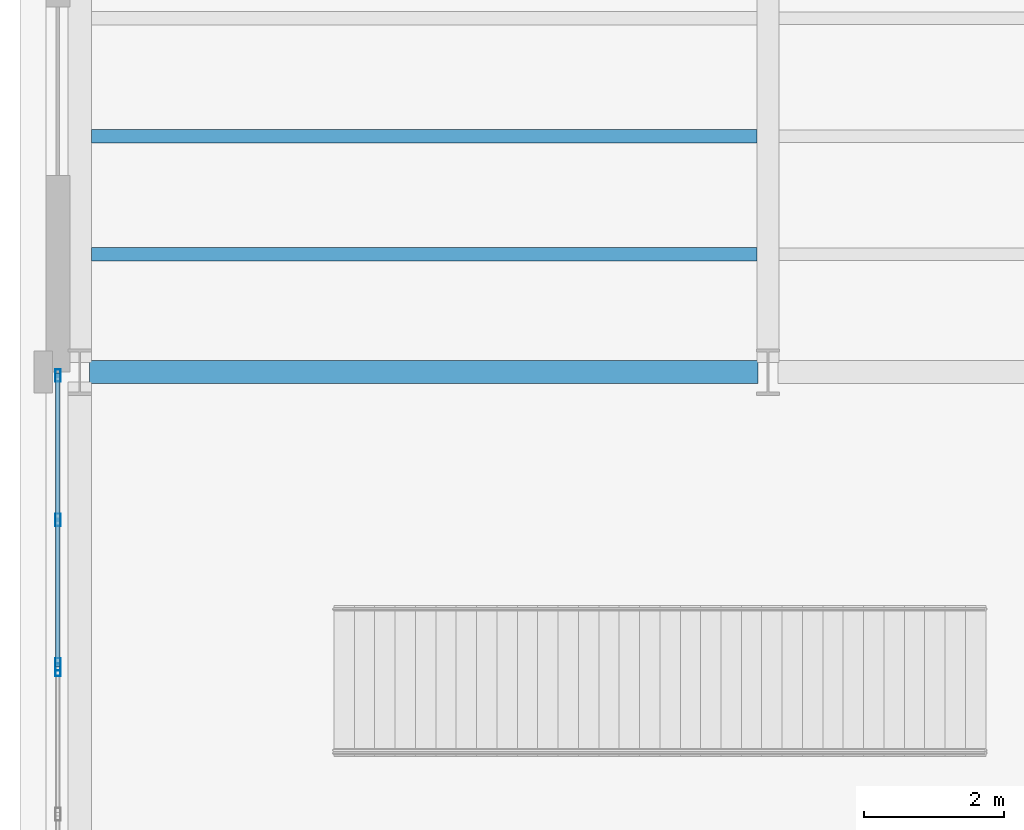
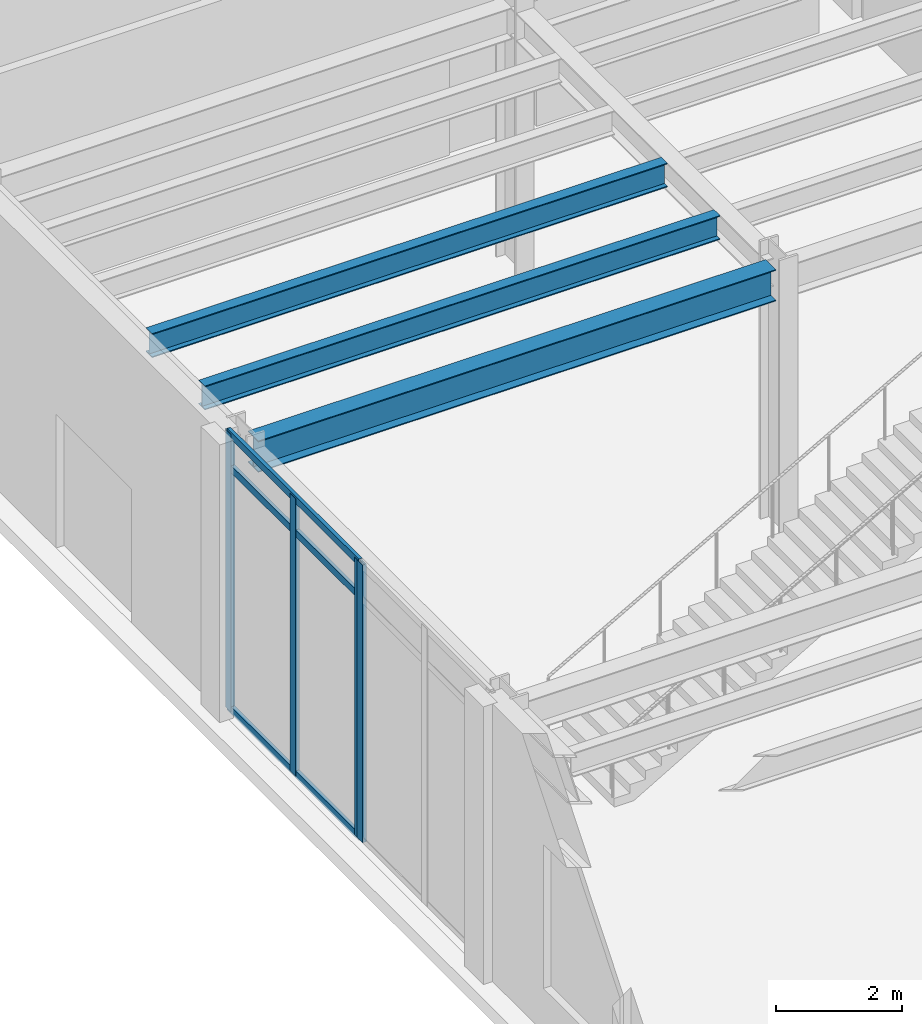
# One storey, part 19 of 94: 7 members, 3 beams, 2 elements without a shape of their own.
"""IFC4 building model written with IfcOpenShell, lengths in metres."""

from ifc_helpers import new_model, si_unit, direction, frame, origin, origin_2d, place, context, subcontext, project, spatial, hollow_rectangle, i_section, extrude, material, layer, layer_set, material_profile, profile_set, type_object, element, aggregate, save


model = new_model("IFC4")

# Units and contexts
model_context = context("Model", 3, precision=1e-05, world=origin(), true_north=direction((0.0, 1.0)))
body_context = subcontext(model_context, "Body", "Model", "MODEL_VIEW")
ifc_project = project(units=[si_unit("LENGTHUNIT", "METRE"), si_unit("AREAUNIT", "SQUARE_METRE"), si_unit("VOLUMEUNIT", "CUBIC_METRE"), si_unit("PLANEANGLEUNIT", "RADIAN"), si_unit("MASSUNIT", "GRAM", prefix="KILO")], contexts=[model_context])

# Site, building, storey
site_placement = place(None, origin())
site = spatial("IfcSite", under=ifc_project, at=site_placement, CompositionType="ELEMENT")
building_placement = place(site_placement, origin())
building = spatial("IfcBuilding", under=site, at=building_placement, Name="Sollismere Congress Hotel", CompositionType="ELEMENT")
storey_placement = place(building_placement, origin())
storey = spatial("IfcBuildingStorey", under=building, at=storey_placement, Name="L00", CompositionType="ELEMENT", Elevation=0.0)

# Beams
ifc_material_1 = material(Name="Steel ASTM A992 Grade 50", Category="steel")
ifc_material_profile_1 = material_profile(ifc_material_1, i_section(OverallWidth=0.324951171875, OverallDepth=0.612060546875, WebThickness=0.0126953125, FlangeThickness=0.01904296875, at=origin_2d()), Name="W24X104")
ifc_profile_set_1 = profile_set([ifc_material_profile_1], Name="Steel ASTM A992 Grade 50")
beam_type_1 = type_object("IfcBeamType", Name="BM-G24", PredefinedType="BEAM", material=ifc_profile_set_1)
beam_placement = place(storey_placement, frame((0.139892578125, 41.60009765625, 4.80908203125), z_axis=(1.0, 0.0, 0.0), x_axis=(0.0, 1.0, 0.0)))
element("IfcBeam", 1, at=beam_placement, inside=storey, type_object=beam_type_1, Name="Beam BM-L00-1173", PredefinedType="BEAM", context=body_context, shape_type="SweptSolid", body=[
    extrude(i_section(OverallWidth=0.324951171875, OverallDepth=0.612060546875, WebThickness=0.0126953125, FlangeThickness=0.01904296875, at=origin_2d()), origin(), (0.0, 0.0, 1.0), 9.52001953125),
])
ifc_material_profile_2 = material_profile(ifc_material_1, i_section(OverallWidth=0.193115234375, OverallDepth=0.467041015625, WebThickness=0.011474609375, FlangeThickness=0.01904296875, at=origin_2d()), Name="W18X65")
ifc_profile_set_2 = profile_set([ifc_material_profile_2], Name="Steel ASTM A992 Grade 50")
beam_type_2 = type_object("IfcBeamType", Name="BM-J18", PredefinedType="JOIST", material=ifc_profile_set_2)
for number, where, z_axis, x_axis, name in (
    (2, (0.1650390625, 43.280029296875, 4.881591796875), (1.0, 0.0, 0.0), (0.0, 1.0, 0.0), "Beam BM-L00-1321"),
    (3, (0.1650390625, 44.9599609375, 4.881591796875), (1.0, 0.0, 0.0), (0.0, 1.0, 0.0), "Beam BM-L00-1322"),
):
    element("IfcBeam", number, at=place(storey_placement, frame(where, z_axis=z_axis, x_axis=x_axis)), inside=storey, type_object=beam_type_2, Name=name, PredefinedType="JOIST", context=body_context, shape_type="SweptSolid", body=[
        extrude(i_section(OverallWidth=0.193115234375, OverallDepth=0.467041015625, WebThickness=0.011474609375, FlangeThickness=0.01904296875, at=origin_2d()), origin(), (0.0, 0.0, 1.0), 9.4775390625),
    ])

# Curtain wall, member
ifc_material_2 = material(Name="Anodized Bronze Curtain Wall & Low-E Triple Glazing", Category="glass")
ifc_layer = layer(ifc_material_2, 0.199951171875, Name="Anodized Bronze Curtain Wall & Low-E Triple Glazing")
ifc_layer_set = layer_set([ifc_layer], Name="Anodized Bronze Curtain Wall & Low-E Triple Glazing")
curtain_wall_type = type_object("IfcCurtainWallType", Name="CW-GLZ36", PredefinedType="USERDEFINED", material=ifc_layer_set)
curtain_wall_1_placement = place(storey_placement, origin())
curtain_wall_1 = element("IfcCurtainWall", 4, at=curtain_wall_1_placement, inside=storey, type_object=curtain_wall_type, Name="Unitised curtain wall CW-L00-121", ObjectType="UNITISED CURTAIN WALL", PredefinedType="USERDEFINED")
ifc_material_3 = material(Name="Anodized Aluminum 6063-T6", Category="aluminium")
ifc_material_profile_3 = material_profile(ifc_material_3, hollow_rectangle(XDim=0.074951171875, YDim=0.179931640625, WallThickness=0.0048828125, at=origin_2d()), Name="ALU180X75X5")
ifc_profile_set_3 = profile_set([ifc_material_profile_3], Name="Anodized Aluminum 6063-T6")
member_type_1 = type_object("IfcMemberType", Name="ML-CW180", PredefinedType="MULLION", material=ifc_profile_set_3)
member_1_placement = place(storey_placement, frame((-0.31005859375, 37.362060546875, 0.0), z_axis=(0.0, 0.0, 1.0), x_axis=(-1.0, 0.0, 0.0)))
member_1 = element("IfcMember", 5, at=member_1_placement, type_object=member_type_1, Name="CWL-CW-L00-121-ML03", PredefinedType="MULLION", context=body_context, shape_type="SweptSolid", body=[
    extrude(hollow_rectangle(XDim=0.074951171875, YDim=0.179931640625, WallThickness=0.0048828125, at=origin_2d()), origin(), (0.0, 0.0, 1.0), 5.39990234375),
])
aggregate(curtain_wall_1, [member_1])

# Curtain wall, members
curtain_wall_2_placement = place(storey_placement, origin())
curtain_wall_2 = element("IfcCurtainWall", 6, at=curtain_wall_2_placement, inside=storey, type_object=curtain_wall_type, Name="Unitised curtain wall CW-L00-122", ObjectType="UNITISED CURTAIN WALL", PredefinedType="USERDEFINED")
member_2_placement = place(storey_placement, frame((-0.31005859375, 37.43798828125, 0.0), z_axis=(0.0, 0.0, 1.0), x_axis=(-1.0, 0.0, 0.0)))
member_2 = element("IfcMember", 7, at=member_2_placement, type_object=member_type_1, Name="CWL-CW-L00-122-ML01", PredefinedType="MULLION", context=body_context, shape_type="SweptSolid", body=[
    extrude(hollow_rectangle(XDim=0.074951171875, YDim=0.179931640625, WallThickness=0.0048828125, at=origin_2d()), origin(), (0.0, 0.0, 1.0), 5.39990234375),
])
member_3_placement = place(storey_placement, frame((-0.31005859375, 39.4951171875, 0.0), z_axis=(0.0, 0.0, 1.0), x_axis=(-1.0, 0.0, 0.0)))
member_3 = element("IfcMember", 8, at=member_3_placement, type_object=member_type_1, Name="CWL-CW-L00-122-ML02", PredefinedType="MULLION", context=body_context, shape_type="SweptSolid", body=[
    extrude(hollow_rectangle(XDim=0.074951171875, YDim=0.179931640625, WallThickness=0.0048828125, at=origin_2d()), origin(), (0.0, 0.0, 1.0), 5.39990234375),
])
member_4_placement = place(storey_placement, frame((-0.31005859375, 41.552001953125, 0.0), z_axis=(0.0, 0.0, 1.0), x_axis=(-1.0, 0.0, 0.0)))
member_4 = element("IfcMember", 9, at=member_4_placement, type_object=member_type_1, Name="CWL-CW-L00-122-ML03", PredefinedType="MULLION", context=body_context, shape_type="SweptSolid", body=[
    extrude(hollow_rectangle(XDim=0.074951171875, YDim=0.179931640625, WallThickness=0.0048828125, at=origin_2d()), origin(), (0.0, 0.0, 1.0), 5.39990234375),
])
ifc_material_profile_4 = material_profile(ifc_material_3, hollow_rectangle(XDim=0.06494140625, YDim=0.139892578125, WallThickness=0.00390625, at=origin_2d()), Name="ALU140X65X4")
ifc_profile_set_4 = profile_set([ifc_material_profile_4], Name="Anodized Aluminum 6063-T6")
member_type_2 = type_object("IfcMemberType", Name="TR-CW150", PredefinedType="MEMBER", material=ifc_profile_set_4)
member_5_placement = place(storey_placement, frame((-0.31005859375, 37.39990234375, 0.032470703125), z_axis=(0.0, 1.0, 0.0), x_axis=(-1.0, 0.0, 0.0)))
member_5 = element("IfcMember", 10, at=member_5_placement, type_object=member_type_2, Name="CWL-CW-L00-122-TR1", PredefinedType="MEMBER", context=body_context, shape_type="SweptSolid", body=[
    extrude(hollow_rectangle(XDim=0.06494140625, YDim=0.139892578125, WallThickness=0.00390625, at=origin_2d()), origin(), (0.0, 0.0, 1.0), 4.190185546875),
])
member_6_placement = place(storey_placement, frame((-0.31005859375, 37.39990234375, 4.719970703125), z_axis=(0.0, 1.0, 0.0), x_axis=(-1.0, 0.0, 0.0)))
member_6 = element("IfcMember", 11, at=member_6_placement, type_object=member_type_2, Name="CWL-CW-L00-122-TR2", PredefinedType="MEMBER", context=body_context, shape_type="SweptSolid", body=[
    extrude(hollow_rectangle(XDim=0.06494140625, YDim=0.139892578125, WallThickness=0.00390625, at=origin_2d()), origin(), (0.0, 0.0, 1.0), 4.190185546875),
])
member_7_placement = place(storey_placement, frame((-0.31005859375, 37.39990234375, 5.367431640625), z_axis=(0.0, 1.0, 0.0), x_axis=(-1.0, 0.0, 0.0)))
member_7 = element("IfcMember", 12, at=member_7_placement, type_object=member_type_2, Name="CWL-CW-L00-122-TR3", PredefinedType="MEMBER", context=body_context, shape_type="SweptSolid", body=[
    extrude(hollow_rectangle(XDim=0.06494140625, YDim=0.139892578125, WallThickness=0.00390625, at=origin_2d()), origin(), (0.0, 0.0, 1.0), 4.190185546875),
])
aggregate(curtain_wall_2, [member_2, member_3, member_4, member_5, member_6, member_7])

save(model, "model.ifc")
